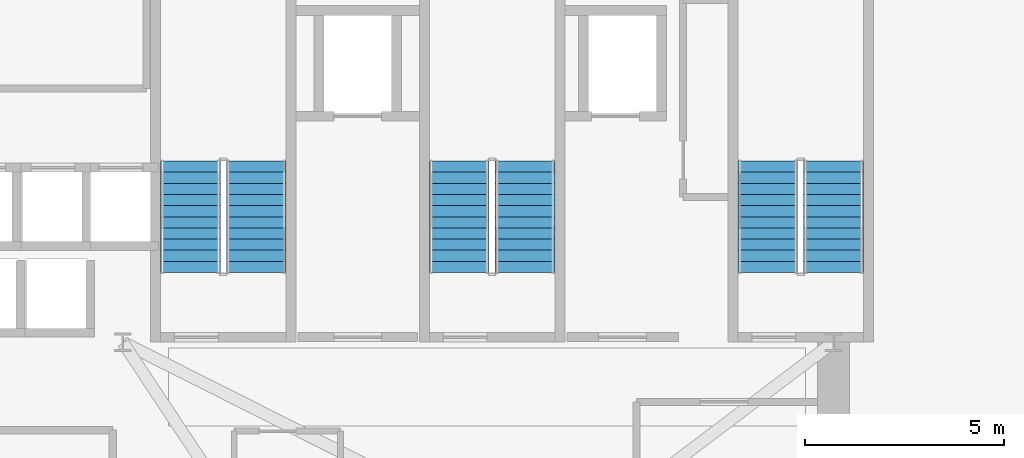
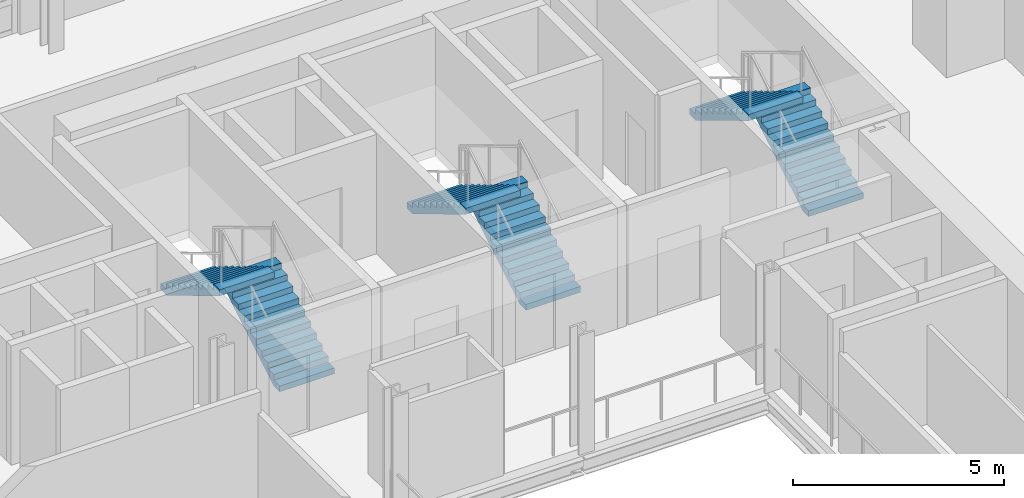
# One storey, part 9 of 14: 6 stair flights, 3 elements without a shape of their own.
"""IFC4 building model written with IfcOpenShell, lengths in metres."""

from ifc_helpers import new_model, si_unit, direction, frame, origin, place, context, subcontext, project, spatial, polyline, outline, extrude, source, transform, mapped, material, type_object, element, aggregate, save


model = new_model("IFC4")

# Units and contexts
model_context = context("Model", 3, precision=1e-05, world=origin(), true_north=direction((0.0, 1.0)))
body_context = subcontext(model_context, "Body", "Model", "MODEL_VIEW")
ifc_project = project(units=[si_unit("LENGTHUNIT", "METRE"), si_unit("AREAUNIT", "SQUARE_METRE"), si_unit("VOLUMEUNIT", "CUBIC_METRE"), si_unit("PLANEANGLEUNIT", "RADIAN"), si_unit("MASSUNIT", "GRAM", prefix="KILO")], contexts=[model_context])

# Site, building, storey
site_placement = place(None, origin())
site = spatial("IfcSite", under=ifc_project, at=site_placement, CompositionType="ELEMENT")
building_placement = place(site_placement, origin())
building = spatial("IfcBuilding", under=site, at=building_placement, Name="Vardaveli Station Tower", CompositionType="ELEMENT")
storey_placement = place(building_placement, frame((0.0, 0.0, 111.300048828125)))
storey = spatial("IfcBuildingStorey", under=building, at=storey_placement, Name="L28", CompositionType="ELEMENT", Elevation=111.300048828125)

# Stair, stair flights
ifc_material = material(Name="Concrete C40/50", Category="concrete")
stair_type = type_object("IfcStairType", Name="STR-CORE-1500", PredefinedType="HALF_TURN_STAIR", material=ifc_material)
stair_1_placement = place(storey_placement, origin())
stair_1 = element("IfcStair", 1, at=stair_1_placement, inside=storey, type_object=stair_type, Name="L28 ST-1", PredefinedType="HALF_TURN_STAIR")
stair_flight_type = type_object("IfcStairFlightType", Name="SFL-CORE-1500", PredefinedType="STRAIGHT", material=ifc_material)
shared_shape = source(origin(), body_context, "Body", "SweptSolid", [
    extrude(outline(polyline([(0.0, 0.0), (0.0, 0.168212890625), (0.280029296875, 0.168212890625), (0.280029296875, 0.33642578125), (0.56005859375, 0.33642578125), (0.56005859375, 0.504638671875), (0.840087890625, 0.504638671875), (0.840087890625, 0.672607421875), (1.1201171875, 0.672607421875), (1.1201171875, 0.8408203125), (1.39990234375, 0.8408203125), (1.39990234375, 1.009033203125), (1.679931640625, 1.009033203125), (1.679931640625, 1.17724609375), (1.9599609375, 1.17724609375), (1.9599609375, 1.345458984375), (2.239990234375, 1.345458984375), (2.239990234375, 1.513671875), (2.52001953125, 1.513671875), (2.52001953125, 1.681884765625), (2.800048828125, 1.681884765625), (2.800048828125, 1.85009765625), (2.800048828125, 1.5068359375), (0.291015625, 0.0), (0.0, 0.0)])), frame((0.0, 0.75, 0.0), z_axis=(0.0, -1.0, 0.0), x_axis=(1.0, 0.0, 0.0)), (0.0, 0.0, 1.0), 1.5),
])
stair_flight_1_placement = place(storey_placement, frame((32.0, 32.39990234375, 0.0), z_axis=(0.0, 0.0, 1.0), x_axis=(0.0, 1.0, 0.0)))
stair_flight_1 = element("IfcStairFlight", 2, at=stair_flight_1_placement, type_object=stair_flight_type, Name="ST-1 flight 1", NumberOfRisers=11, NumberOfTreads=10, PredefinedType="STRAIGHT", RiserHeight=0.168181818, TreadLength=0.28, context=body_context, shape_type="MappedRepresentation", body=[
    mapped(shared_shape, transform((0.0, 0.0, 0.0), scale=1.0)),
])
stair_flight_2_placement = place(storey_placement, frame((30.35009765625, 35.199951171875, 1.849853515625), z_axis=(0.0, 0.0, 1.0), x_axis=(0.0, -1.0, 0.0)))
stair_flight_2 = element("IfcStairFlight", 3, at=stair_flight_2_placement, type_object=stair_flight_type, Name="ST-1 flight 2", NumberOfRisers=11, NumberOfTreads=10, PredefinedType="STRAIGHT", RiserHeight=0.168181818, TreadLength=0.28, context=body_context, shape_type="MappedRepresentation", body=[
    mapped(shared_shape, transform((0.0, 0.0, 0.0), scale=1.0)),
])
aggregate(stair_1, [stair_flight_1, stair_flight_2])

stair_2_placement = place(storey_placement, origin())
stair_2 = element("IfcStair", 4, at=stair_2_placement, inside=storey, type_object=stair_type, Name="L28 ST-2", PredefinedType="HALF_TURN_STAIR")
stair_flight_3_placement = place(storey_placement, frame((38.75, 32.39990234375, 0.0), z_axis=(0.0, 0.0, 1.0), x_axis=(0.0, 1.0, 0.0)))
stair_flight_3 = element("IfcStairFlight", 5, at=stair_flight_3_placement, type_object=stair_flight_type, Name="ST-2 flight 1", NumberOfRisers=11, NumberOfTreads=10, PredefinedType="STRAIGHT", RiserHeight=0.168181818, TreadLength=0.28, context=body_context, shape_type="MappedRepresentation", body=[
    mapped(shared_shape, transform((0.0, 0.0, 0.0), scale=1.0)),
])
stair_flight_4_placement = place(storey_placement, frame((37.10009765625, 35.199951171875, 1.849853515625), z_axis=(0.0, 0.0, 1.0), x_axis=(0.0, -1.0, 0.0)))
stair_flight_4 = element("IfcStairFlight", 6, at=stair_flight_4_placement, type_object=stair_flight_type, Name="ST-2 flight 2", NumberOfRisers=11, NumberOfTreads=10, PredefinedType="STRAIGHT", RiserHeight=0.168181818, TreadLength=0.28, context=body_context, shape_type="MappedRepresentation", body=[
    mapped(shared_shape, transform((0.0, 0.0, 0.0), scale=1.0)),
])
aggregate(stair_2, [stair_flight_3, stair_flight_4])

stair_3_placement = place(storey_placement, origin())
stair_3 = element("IfcStair", 7, at=stair_3_placement, inside=storey, type_object=stair_type, Name="L28 ST-3", PredefinedType="HALF_TURN_STAIR")
stair_flight_5_placement = place(storey_placement, frame((46.5, 32.39990234375, 0.0), z_axis=(0.0, 0.0, 1.0), x_axis=(0.0, 1.0, 0.0)))
stair_flight_5 = element("IfcStairFlight", 8, at=stair_flight_5_placement, type_object=stair_flight_type, Name="ST-3 flight 1", NumberOfRisers=11, NumberOfTreads=10, PredefinedType="STRAIGHT", RiserHeight=0.168181818, TreadLength=0.28, context=body_context, shape_type="MappedRepresentation", body=[
    mapped(shared_shape, transform((0.0, 0.0, 0.0), scale=1.0)),
])
stair_flight_6_placement = place(storey_placement, frame((44.85009765625, 35.199951171875, 1.849853515625), z_axis=(0.0, 0.0, 1.0), x_axis=(0.0, -1.0, 0.0)))
stair_flight_6 = element("IfcStairFlight", 9, at=stair_flight_6_placement, type_object=stair_flight_type, Name="ST-3 flight 2", NumberOfRisers=11, NumberOfTreads=10, PredefinedType="STRAIGHT", RiserHeight=0.168181818, TreadLength=0.28, context=body_context, shape_type="MappedRepresentation", body=[
    mapped(shared_shape, transform((0.0, 0.0, 0.0), scale=1.0)),
])
aggregate(stair_3, [stair_flight_5, stair_flight_6])

save(model, "model.ifc")
